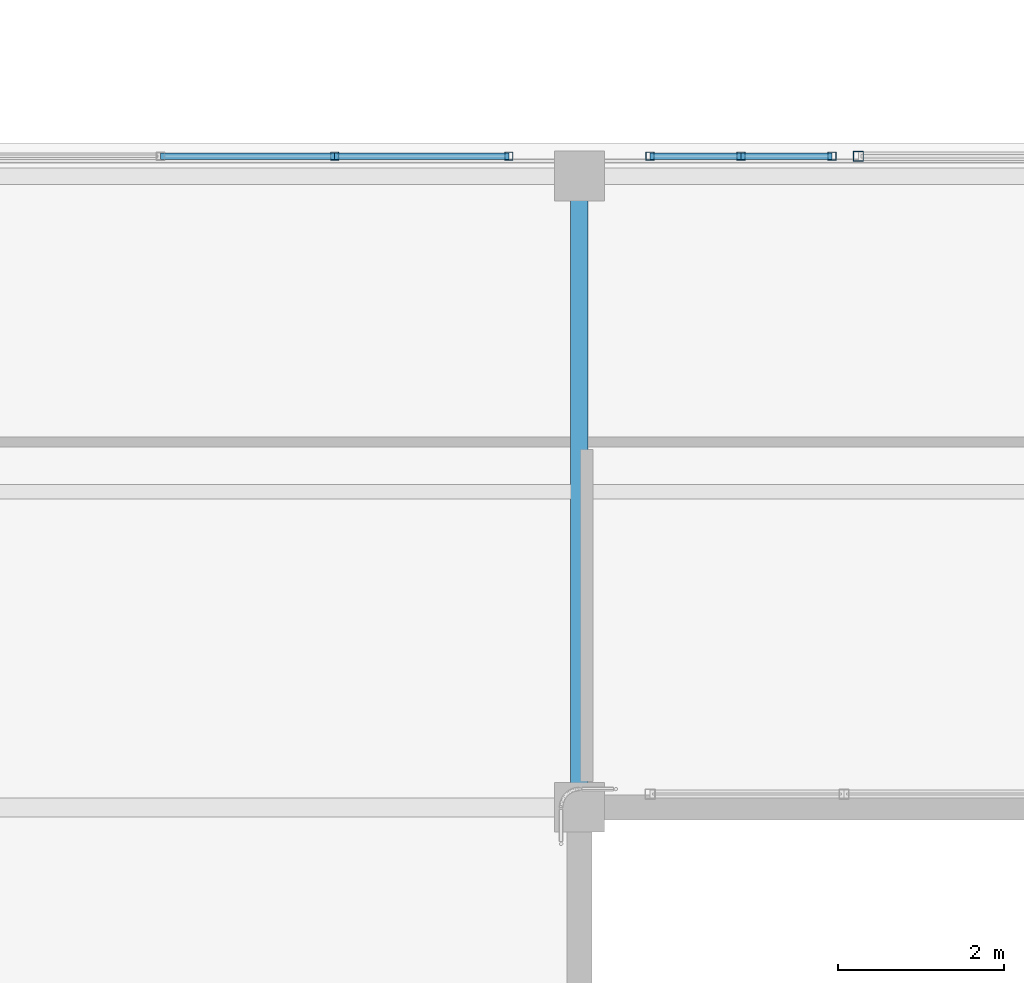
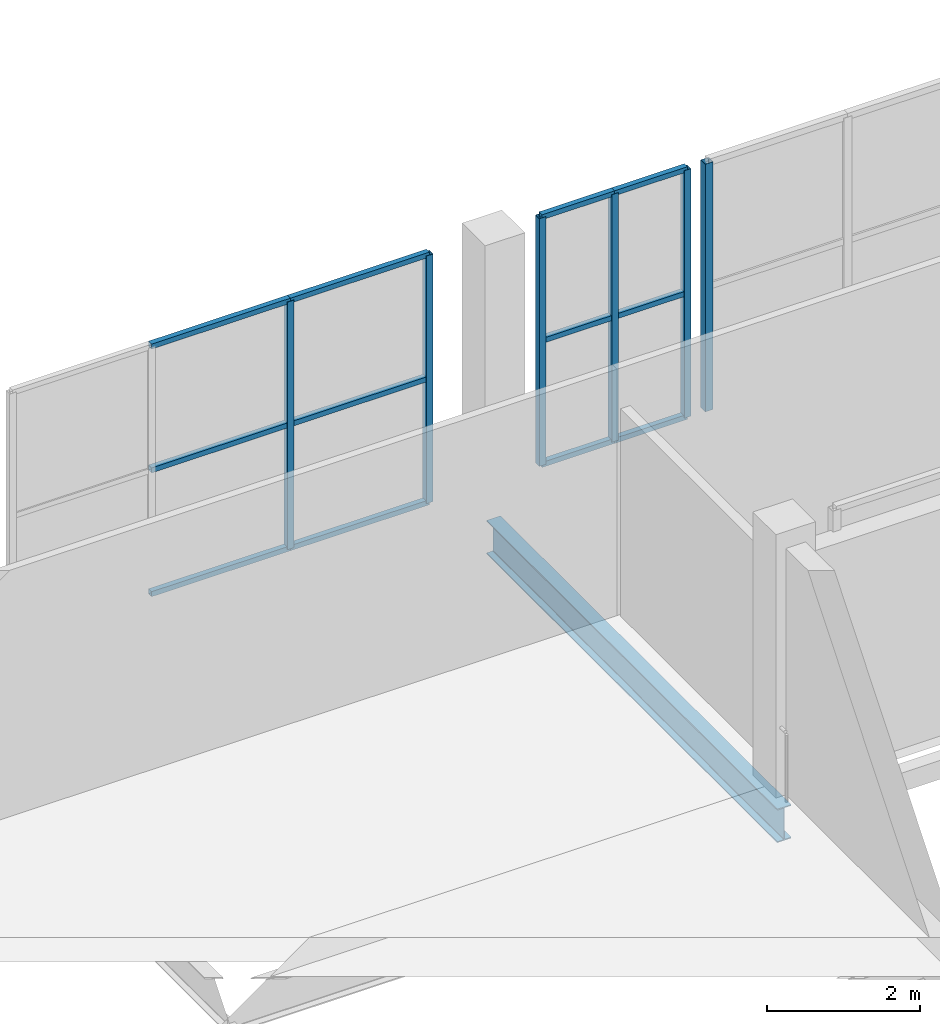
# One storey, part 43 of 217: 18 members, 1 beam, 3 elements without a shape of their own.
"""IFC4 building model written with IfcOpenShell, lengths in metres."""

from ifc_helpers import new_model, si_unit, direction, frame, origin, origin_2d, place, context, subcontext, project, spatial, hollow_rectangle, i_section, extrude, material, material_profile, profile_set, type_object, element, aggregate, save


model = new_model("IFC4")

# Units and contexts
model_context = context("Model", 3, precision=1e-05, world=origin(), true_north=direction((0.0, 1.0)))
body_context = subcontext(model_context, "Body", "Model", "MODEL_VIEW")
ifc_project = project(units=[si_unit("LENGTHUNIT", "METRE"), si_unit("AREAUNIT", "SQUARE_METRE"), si_unit("VOLUMEUNIT", "CUBIC_METRE"), si_unit("PLANEANGLEUNIT", "RADIAN"), si_unit("MASSUNIT", "GRAM", prefix="KILO")], contexts=[model_context])

# Site, building, storey
site_placement = place(None, origin())
site = spatial("IfcSite", under=ifc_project, at=site_placement, CompositionType="ELEMENT")
building_placement = place(site_placement, origin())
building = spatial("IfcBuilding", under=site, at=building_placement, Name="Zuvorla Pavilion Media Centre", CompositionType="ELEMENT")
storey_placement = place(building_placement, frame((0.0, 0.0, 9.60009765625)))
storey = spatial("IfcBuildingStorey", under=building, at=storey_placement, Name="L02", CompositionType="ELEMENT", Elevation=9.60009765625)

# Beam
ifc_material_1 = material(Name="Steel S355", Category="steel")
ifc_material_profile_1 = material_profile(ifc_material_1, i_section(OverallWidth=0.2099609375, OverallDepth=0.53662109375, WebThickness=0.0107421875, FlangeThickness=0.017333984375, FilletRadius=0.0126953125, at=origin_2d()), Name="UB 533x210x101")
ifc_profile_set_1 = profile_set([ifc_material_profile_1], Name="Steel S355")
beam_type = type_object("IfcBeamType", Name="BM-UB533", PredefinedType="BEAM", material=ifc_profile_set_1)
beam_placement = place(storey_placement, frame((108.800048828125, 44.0, -0.6962890625), z_axis=(0.0, 1.0, 0.0), x_axis=(-1.0, 0.0, 0.0)))
element("IfcBeam", 1, at=beam_placement, inside=storey, type_object=beam_type, Name="L02 beam B08 959", PredefinedType="BEAM", context=body_context, shape_type="SweptSolid", body=[
    extrude(i_section(OverallWidth=0.2099609375, OverallDepth=0.53662109375, WebThickness=0.0107421875, FlangeThickness=0.017333984375, FilletRadius=0.0126953125, at=origin_2d()), origin(), (0.0, 0.0, 1.0), 7.60009765625),
])

# Curtain wall, members
ifc_material_2 = material(Name="Unitised anodised aluminium and solar glass curtain wall", Category="aluminium")
curtain_wall_type_1 = type_object("IfcCurtainWallType", Name="CW-SYS-39", PredefinedType="USERDEFINED", material=ifc_material_2)
curtain_wall_1_placement = place(storey_placement, origin())
curtain_wall_1 = element("IfcCurtainWall", 2, at=curtain_wall_1_placement, inside=storey, type_object=curtain_wall_type_1, Name="L02 curtain wall CW39 71", ObjectType="CURTAIN WALL", PredefinedType="USERDEFINED")
ifc_material_3 = material(Name="Anodised aluminium 6063-T6", Category="aluminium")
ifc_material_profile_2 = material_profile(ifc_material_3, hollow_rectangle(XDim=0.10009765625, YDim=0.10009765625, WallThickness=0.00439453125, at=origin_2d()), Name="ALU MULL 100x100")
ifc_profile_set_2 = profile_set([ifc_material_profile_2], Name="Anodised aluminium 6063-T6")
member_type_1 = type_object("IfcMemberType", Name="CW-MULL-100", PredefinedType="MULLION", material=ifc_profile_set_2)
member_1_placement = place(storey_placement, frame((105.85302734375, 51.840087890625, 0.0), z_axis=(0.0, 0.0, 1.0), x_axis=(1.0, 0.0, 0.0)))
member_1 = element("IfcMember", 3, at=member_1_placement, type_object=member_type_1, Name="CW39 mullion 3", PredefinedType="MULLION", context=body_context, shape_type="SweptSolid", body=[
    extrude(hollow_rectangle(XDim=0.10009765625, YDim=0.10009765625, WallThickness=0.00439453125, at=origin_2d()), origin(), (0.0, 0.0, 1.0), 3.949951171875),
])
member_2_placement = place(storey_placement, frame((107.94970703125, 51.840087890625, 0.0), z_axis=(0.0, 0.0, 1.0), x_axis=(1.0, 0.0, 0.0)))
member_2 = element("IfcMember", 4, at=member_2_placement, type_object=member_type_1, Name="CW39 mullion 4", PredefinedType="MULLION", context=body_context, shape_type="SweptSolid", body=[
    extrude(hollow_rectangle(XDim=0.10009765625, YDim=0.10009765625, WallThickness=0.00439453125, at=origin_2d()), origin(), (0.0, 0.0, 1.0), 3.949951171875),
])

curtain_wall_type_2 = type_object("IfcCurtainWallType", Name="CW-SYS-38", PredefinedType="USERDEFINED", material=ifc_material_2)
curtain_wall_2_placement = place(storey_placement, origin())
curtain_wall_2 = element("IfcCurtainWall", 5, at=curtain_wall_2_placement, inside=storey, type_object=curtain_wall_type_2, Name="L02 curtain wall CW38 72", ObjectType="CURTAIN WALL", PredefinedType="USERDEFINED")
member_3_placement = place(storey_placement, frame((109.650390625, 51.840087890625, 0.0), z_axis=(0.0, 0.0, 1.0), x_axis=(1.0, 0.0, 0.0)))
member_3 = element("IfcMember", 6, at=member_3_placement, type_object=member_type_1, Name="CW38 mullion 1", PredefinedType="MULLION", context=body_context, shape_type="SweptSolid", body=[
    extrude(hollow_rectangle(XDim=0.10009765625, YDim=0.10009765625, WallThickness=0.00439453125, at=origin_2d()), origin(), (0.0, 0.0, 1.0), 3.949951171875),
])
member_4_placement = place(storey_placement, frame((110.7451171875, 51.840087890625, 0.0), z_axis=(0.0, 0.0, 1.0), x_axis=(1.0, 0.0, 0.0)))
member_4 = element("IfcMember", 7, at=member_4_placement, type_object=member_type_1, Name="CW38 mullion 2", PredefinedType="MULLION", context=body_context, shape_type="SweptSolid", body=[
    extrude(hollow_rectangle(XDim=0.10009765625, YDim=0.10009765625, WallThickness=0.00439453125, at=origin_2d()), origin(), (0.0, 0.0, 1.0), 3.949951171875),
])
member_5_placement = place(storey_placement, frame((111.840087890625, 51.840087890625, 0.0), z_axis=(0.0, 0.0, 1.0), x_axis=(1.0, 0.0, 0.0)))
member_5 = element("IfcMember", 8, at=member_5_placement, type_object=member_type_1, Name="CW38 mullion 3", PredefinedType="MULLION", context=body_context, shape_type="SweptSolid", body=[
    extrude(hollow_rectangle(XDim=0.10009765625, YDim=0.10009765625, WallThickness=0.00439453125, at=origin_2d()), origin(), (0.0, 0.0, 1.0), 3.949951171875),
])

# Curtain wall, member
curtain_wall_type_3 = type_object("IfcCurtainWallType", Name="CW-SYS-43", PredefinedType="USERDEFINED", material=ifc_material_2)
curtain_wall_3_placement = place(storey_placement, origin())
curtain_wall_3 = element("IfcCurtainWall", 9, at=curtain_wall_3_placement, inside=storey, type_object=curtain_wall_type_3, Name="L02 curtain wall CW43 75", ObjectType="CURTAIN WALL", PredefinedType="USERDEFINED")
ifc_material_profile_3 = material_profile(ifc_material_3, hollow_rectangle(XDim=0.1201171875, YDim=0.1201171875, WallThickness=0.0048828125, at=origin_2d()), Name="ALU MULL 120x120")
ifc_profile_set_3 = profile_set([ifc_material_profile_3], Name="Anodised aluminium 6063-T6")
member_type_2 = type_object("IfcMemberType", Name="CW-MULL-120", PredefinedType="MULLION", material=ifc_profile_set_3)
member_6_placement = place(storey_placement, frame((112.159912109375, 51.840087890625, 0.0), z_axis=(0.0, 0.0, 1.0), x_axis=(1.0, 0.0, 0.0)))
member_6 = element("IfcMember", 10, at=member_6_placement, type_object=member_type_2, Name="CW43 mullion 1", PredefinedType="MULLION", context=body_context, shape_type="SweptSolid", body=[
    extrude(hollow_rectangle(XDim=0.1201171875, YDim=0.1201171875, WallThickness=0.0048828125, at=origin_2d()), origin(), (0.0, 0.0, 1.0), 3.949951171875),
])
aggregate(curtain_wall_3, [member_6])

# Member
ifc_material_profile_4 = material_profile(ifc_material_3, hollow_rectangle(XDim=0.080078125, YDim=0.080078125, WallThickness=0.00390625, at=origin_2d()), Name="ALU TRAN 80x80")
ifc_profile_set_4 = profile_set([ifc_material_profile_4], Name="Anodised aluminium 6063-T6")
member_type_3 = type_object("IfcMemberType", Name="CW-TRAN-80", PredefinedType="USERDEFINED", material=ifc_profile_set_4)
member_7_placement = place(storey_placement, frame((103.756591796875, 51.840087890625, 0.0), z_axis=(1.0, 0.0, 0.0), x_axis=(0.0, 1.0, 0.0)))
member_7 = element("IfcMember", 11, at=member_7_placement, type_object=member_type_3, Name="CW39 transom 2.1", ObjectType="TRANSOM", PredefinedType="USERDEFINED", context=body_context, shape_type="SweptSolid", body=[
    extrude(hollow_rectangle(XDim=0.080078125, YDim=0.080078125, WallThickness=0.00390625, at=origin_2d()), origin(), (0.0, 0.0, 1.0), 2.096435546875),
])

member_8_placement = place(storey_placement, frame((103.756591796875, 51.840087890625, 1.974853515625), z_axis=(1.0, 0.0, 0.0), x_axis=(0.0, 1.0, 0.0)))
member_8 = element("IfcMember", 12, at=member_8_placement, type_object=member_type_3, Name="CW39 transom 2.2", ObjectType="TRANSOM", PredefinedType="USERDEFINED", context=body_context, shape_type="SweptSolid", body=[
    extrude(hollow_rectangle(XDim=0.080078125, YDim=0.080078125, WallThickness=0.00390625, at=origin_2d()), origin(), (0.0, 0.0, 1.0), 2.096435546875),
])

member_9_placement = place(storey_placement, frame((103.756591796875, 51.840087890625, 3.949951171875), z_axis=(1.0, 0.0, 0.0), x_axis=(0.0, 1.0, 0.0)))
member_9 = element("IfcMember", 13, at=member_9_placement, type_object=member_type_3, Name="CW39 transom 2.3", ObjectType="TRANSOM", PredefinedType="USERDEFINED", context=body_context, shape_type="SweptSolid", body=[
    extrude(hollow_rectangle(XDim=0.080078125, YDim=0.080078125, WallThickness=0.00390625, at=origin_2d()), origin(), (0.0, 0.0, 1.0), 2.096435546875),
])

member_10_placement = place(storey_placement, frame((105.85302734375, 51.840087890625, 0.0), z_axis=(1.0, 0.0, 0.0), x_axis=(0.0, 1.0, 0.0)))
member_10 = element("IfcMember", 14, at=member_10_placement, type_object=member_type_3, Name="CW39 transom 3.1", ObjectType="TRANSOM", PredefinedType="USERDEFINED", context=body_context, shape_type="SweptSolid", body=[
    extrude(hollow_rectangle(XDim=0.080078125, YDim=0.080078125, WallThickness=0.00390625, at=origin_2d()), origin(), (0.0, 0.0, 1.0), 2.0966796875),
])

member_11_placement = place(storey_placement, frame((105.85302734375, 51.840087890625, 1.974853515625), z_axis=(1.0, 0.0, 0.0), x_axis=(0.0, 1.0, 0.0)))
member_11 = element("IfcMember", 15, at=member_11_placement, type_object=member_type_3, Name="CW39 transom 3.2", ObjectType="TRANSOM", PredefinedType="USERDEFINED", context=body_context, shape_type="SweptSolid", body=[
    extrude(hollow_rectangle(XDim=0.080078125, YDim=0.080078125, WallThickness=0.00390625, at=origin_2d()), origin(), (0.0, 0.0, 1.0), 2.0966796875),
])

member_12_placement = place(storey_placement, frame((105.85302734375, 51.840087890625, 3.949951171875), z_axis=(1.0, 0.0, 0.0), x_axis=(0.0, 1.0, 0.0)))
member_12 = element("IfcMember", 16, at=member_12_placement, type_object=member_type_3, Name="CW39 transom 3.3", ObjectType="TRANSOM", PredefinedType="USERDEFINED", context=body_context, shape_type="SweptSolid", body=[
    extrude(hollow_rectangle(XDim=0.080078125, YDim=0.080078125, WallThickness=0.00390625, at=origin_2d()), origin(), (0.0, 0.0, 1.0), 2.0966796875),
])

aggregate(curtain_wall_1, [member_1, member_2, member_7, member_8, member_9, member_10, member_11, member_12])

member_13_placement = place(storey_placement, frame((109.650390625, 51.840087890625, 0.0), z_axis=(1.0, 0.0, 0.0), x_axis=(0.0, 1.0, 0.0)))
member_13 = element("IfcMember", 17, at=member_13_placement, type_object=member_type_3, Name="CW38 transom 1.1", ObjectType="TRANSOM", PredefinedType="USERDEFINED", context=body_context, shape_type="SweptSolid", body=[
    extrude(hollow_rectangle(XDim=0.080078125, YDim=0.080078125, WallThickness=0.00390625, at=origin_2d()), origin(), (0.0, 0.0, 1.0), 1.0947265625),
])

member_14_placement = place(storey_placement, frame((109.650390625, 51.840087890625, 1.974853515625), z_axis=(1.0, 0.0, 0.0), x_axis=(0.0, 1.0, 0.0)))
member_14 = element("IfcMember", 18, at=member_14_placement, type_object=member_type_3, Name="CW38 transom 1.2", ObjectType="TRANSOM", PredefinedType="USERDEFINED", context=body_context, shape_type="SweptSolid", body=[
    extrude(hollow_rectangle(XDim=0.080078125, YDim=0.080078125, WallThickness=0.00390625, at=origin_2d()), origin(), (0.0, 0.0, 1.0), 1.0947265625),
])

member_15_placement = place(storey_placement, frame((109.650390625, 51.840087890625, 3.949951171875), z_axis=(1.0, 0.0, 0.0), x_axis=(0.0, 1.0, 0.0)))
member_15 = element("IfcMember", 19, at=member_15_placement, type_object=member_type_3, Name="CW38 transom 1.3", ObjectType="TRANSOM", PredefinedType="USERDEFINED", context=body_context, shape_type="SweptSolid", body=[
    extrude(hollow_rectangle(XDim=0.080078125, YDim=0.080078125, WallThickness=0.00390625, at=origin_2d()), origin(), (0.0, 0.0, 1.0), 1.0947265625),
])

member_16_placement = place(storey_placement, frame((110.7451171875, 51.840087890625, 0.0), z_axis=(1.0, 0.0, 0.0), x_axis=(0.0, 1.0, 0.0)))
member_16 = element("IfcMember", 20, at=member_16_placement, type_object=member_type_3, Name="CW38 transom 2.1", ObjectType="TRANSOM", PredefinedType="USERDEFINED", context=body_context, shape_type="SweptSolid", body=[
    extrude(hollow_rectangle(XDim=0.080078125, YDim=0.080078125, WallThickness=0.00390625, at=origin_2d()), origin(), (0.0, 0.0, 1.0), 1.094970703125),
])

member_17_placement = place(storey_placement, frame((110.7451171875, 51.840087890625, 1.974853515625), z_axis=(1.0, 0.0, 0.0), x_axis=(0.0, 1.0, 0.0)))
member_17 = element("IfcMember", 21, at=member_17_placement, type_object=member_type_3, Name="CW38 transom 2.2", ObjectType="TRANSOM", PredefinedType="USERDEFINED", context=body_context, shape_type="SweptSolid", body=[
    extrude(hollow_rectangle(XDim=0.080078125, YDim=0.080078125, WallThickness=0.00390625, at=origin_2d()), origin(), (0.0, 0.0, 1.0), 1.094970703125),
])

member_18_placement = place(storey_placement, frame((110.7451171875, 51.840087890625, 3.949951171875), z_axis=(1.0, 0.0, 0.0), x_axis=(0.0, 1.0, 0.0)))
member_18 = element("IfcMember", 22, at=member_18_placement, type_object=member_type_3, Name="CW38 transom 2.3", ObjectType="TRANSOM", PredefinedType="USERDEFINED", context=body_context, shape_type="SweptSolid", body=[
    extrude(hollow_rectangle(XDim=0.080078125, YDim=0.080078125, WallThickness=0.00390625, at=origin_2d()), origin(), (0.0, 0.0, 1.0), 1.094970703125),
])

aggregate(curtain_wall_2, [member_3, member_4, member_5, member_13, member_14, member_15, member_16, member_17, member_18])

save(model, "model.ifc")
